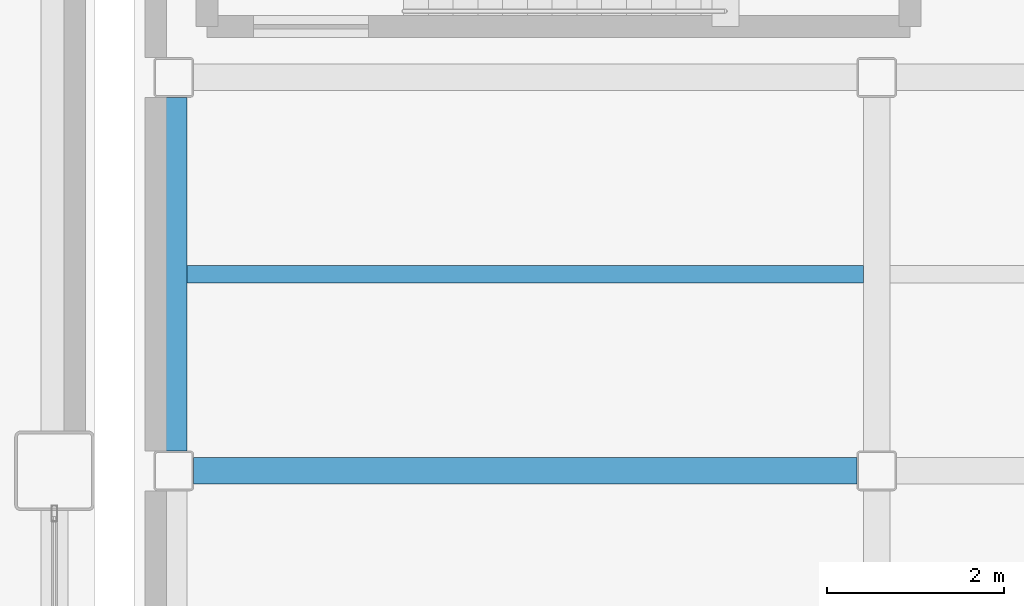
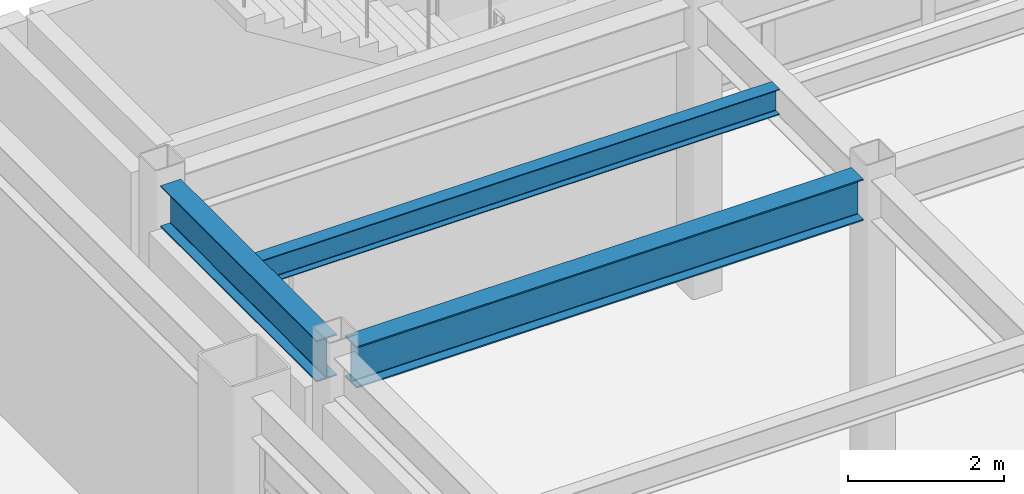
# One storey, part 71 of 172: 3 beams.
"""IFC4 building model written with IfcOpenShell, lengths in metres."""

from ifc_helpers import new_model, si_unit, direction, frame, origin, origin_2d, place, context, subcontext, project, spatial, i_section, extrude, material, material_profile, profile_set, type_object, element, save


model = new_model("IFC4")

# Units and contexts
model_context = context("Model", 3, precision=1e-05, world=origin(), true_north=direction((0.0, 1.0)))
body_context = subcontext(model_context, "Body", "Model", "MODEL_VIEW")
ifc_project = project(units=[si_unit("LENGTHUNIT", "METRE"), si_unit("AREAUNIT", "SQUARE_METRE"), si_unit("VOLUMEUNIT", "CUBIC_METRE"), si_unit("PLANEANGLEUNIT", "RADIAN"), si_unit("MASSUNIT", "GRAM", prefix="KILO")], contexts=[model_context])

# Site, building, storey
site_placement = place(None, origin())
site = spatial("IfcSite", under=ifc_project, at=site_placement, CompositionType="ELEMENT")
building_placement = place(site_placement, origin())
building = spatial("IfcBuilding", under=site, at=building_placement, Name="Kazehara Bluff Congress Hotel", CompositionType="ELEMENT")
storey_placement = place(building_placement, frame((0.0, 0.0, 5.39990234375)))
storey = spatial("IfcBuildingStorey", under=building, at=storey_placement, Name="L01", CompositionType="ELEMENT", Elevation=5.39990234375)

# Beams
ifc_material_1 = material(Name="Steel SN490B", Category="steel")
ifc_material_profile_1 = material_profile(ifc_material_1, i_section(OverallWidth=0.300048828125, OverallDepth=0.64990234375, WebThickness=0.011962890625, FlangeThickness=0.02001953125, FilletRadius=0.012939453125, at=origin_2d()))
ifc_profile_set_1 = profile_set([ifc_material_profile_1], Name="Steel SN490B")
beam_type_1 = type_object("IfcBeamType", Name="TP-G-03", PredefinedType="BEAM", material=ifc_profile_set_1)
beam_1_placement = place(storey_placement, frame((59.699951171875, 105.675048828125, 4.22509765625), z_axis=(0.0, 1.0, 0.0), x_axis=(-1.0, 0.0, 0.0)))
element("IfcBeam", 1, at=beam_1_placement, inside=storey, type_object=beam_type_1, Name="L01 girder G-03 102", PredefinedType="BEAM", context=body_context, shape_type="SweptSolid", body=[
    extrude(i_section(OverallWidth=0.300048828125, OverallDepth=0.64990234375, WebThickness=0.011962890625, FlangeThickness=0.02001953125, FilletRadius=0.012939453125, at=origin_2d()), origin(), (0.0, 0.0, 1.0), 4.0),
])
beam_2_placement = place(storey_placement, frame((59.925048828125, 105.449951171875, 4.22509765625), z_axis=(1.0, 0.0, 0.0), x_axis=(0.0, 1.0, 0.0)))
element("IfcBeam", 2, at=beam_2_placement, inside=storey, type_object=beam_type_1, Name="L01 girder G-03 138", PredefinedType="BEAM", context=body_context, shape_type="SweptSolid", body=[
    extrude(i_section(OverallWidth=0.300048828125, OverallDepth=0.64990234375, WebThickness=0.011962890625, FlangeThickness=0.02001953125, FilletRadius=0.012939453125, at=origin_2d()), origin(), (0.0, 0.0, 1.0), 7.5),
])
ifc_material_2 = material(Name="Steel SN400B", Category="steel")
ifc_material_profile_2 = material_profile(ifc_material_2, i_section(OverallWidth=0.199951171875, OverallDepth=0.39990234375, WebThickness=0.008056640625, FlangeThickness=0.012939453125, FilletRadius=0.012939453125, at=origin_2d()))
ifc_profile_set_2 = profile_set([ifc_material_profile_2], Name="Steel SN400B")
beam_type_2 = type_object("IfcBeamType", Name="TP-J-03", PredefinedType="JOIST", material=ifc_profile_set_2)
beam_3_placement = place(storey_placement, frame((59.85009765625, 107.675048828125, 4.35009765625), z_axis=(1.0, 0.0, 0.0), x_axis=(0.0, 1.0, 0.0)))
element("IfcBeam", 3, at=beam_3_placement, inside=storey, type_object=beam_type_2, Name="L01 secondary joist J-03 16", PredefinedType="JOIST", context=body_context, shape_type="SweptSolid", body=[
    extrude(i_section(OverallWidth=0.199951171875, OverallDepth=0.39990234375, WebThickness=0.008056640625, FlangeThickness=0.012939453125, FilletRadius=0.012939453125, at=origin_2d()), origin(), (0.0, 0.0, 1.0), 7.64990234375),
])

save(model, "model.ifc")
